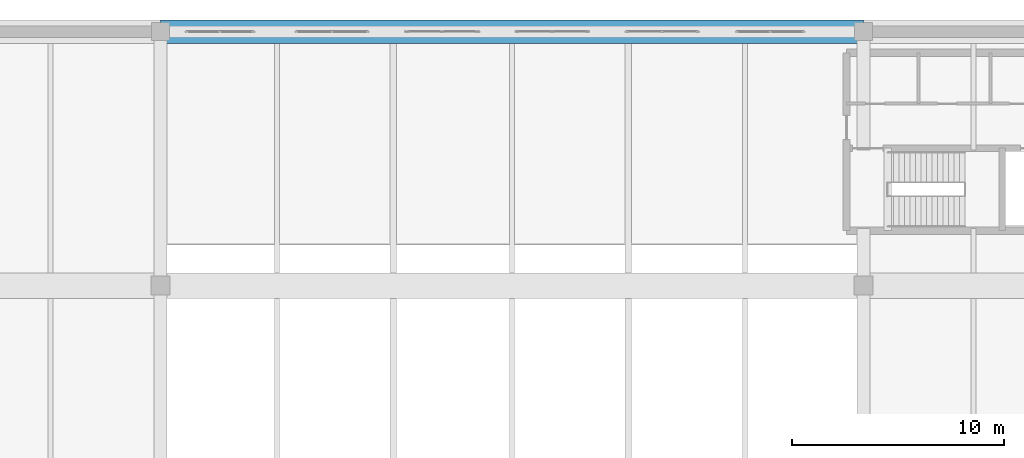
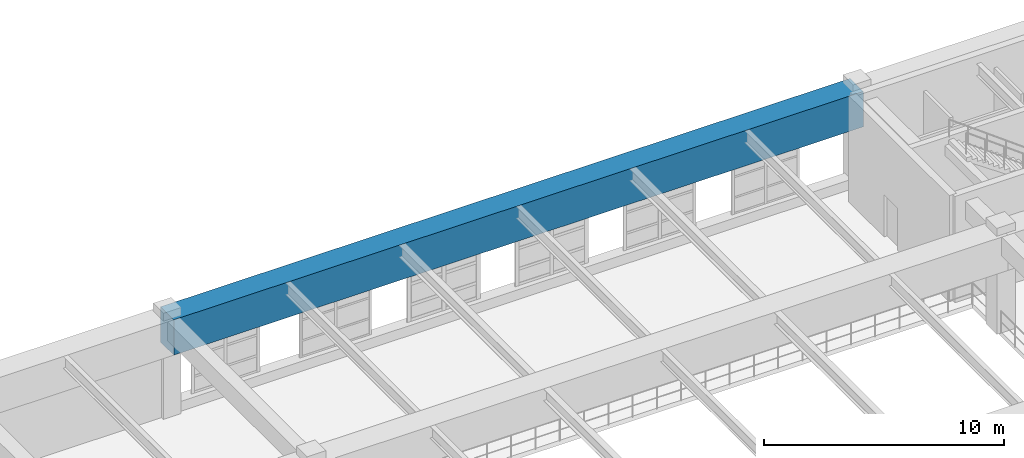
# One storey, part 143 of 197: 1 beam.
"""IFC4 building model written with IfcOpenShell, lengths in metres."""

from ifc_helpers import new_model, si_unit, derived_unit, direction, frame, origin, origin_2d, place, context, subcontext, project, spatial, rectangle, extrude, material, material_profile, profile_set, type_object, element, save


model = new_model("IFC4")

# Units and contexts
model_context = context("Model", 3, precision=1e-05, world=origin(), true_north=direction((0.0, 1.0)))
body_context = subcontext(model_context, "Body", "Model", "MODEL_VIEW")
ifc_project = project(units=[si_unit("LENGTHUNIT", "METRE"), si_unit("AREAUNIT", "SQUARE_METRE"), si_unit("VOLUMEUNIT", "CUBIC_METRE"), si_unit("PLANEANGLEUNIT", "RADIAN"), si_unit("MASSUNIT", "GRAM", prefix="KILO"), derived_unit("THERMALTRANSMITTANCEUNIT", [(si_unit("POWERUNIT", "WATT"), 1), (si_unit("LENGTHUNIT", "METRE"), -2), (si_unit("THERMODYNAMICTEMPERATUREUNIT", "KELVIN"), -1)])], contexts=[model_context])

# Site, building, storey
site_placement = place(None, origin())
site = spatial("IfcSite", under=ifc_project, at=site_placement, CompositionType="ELEMENT")
building_placement = place(site_placement, origin())
building = spatial("IfcBuilding", under=site, at=building_placement, Name="Almenara Railside Exhibition Hall", CompositionType="ELEMENT")
storey_placement = place(building_placement, frame((0.0, 0.0, 5.39990234375)))
storey = spatial("IfcBuildingStorey", under=building, at=storey_placement, Name="L01", CompositionType="ELEMENT", Elevation=5.39990234375)

# Beam
ifc_material = material(Name="Concrete C40/50", Category="concrete")
ifc_material_profile = material_profile(ifc_material, rectangle(XDim=1.10009765625, YDim=1.800048828125, at=origin_2d()), Name="RC 1100x1800")
ifc_profile_set = profile_set([ifc_material_profile], Name="Concrete C40/50")
beam_type = type_object("IfcBeamType", Name="RC End Transfer Girder 1100x1800 C40/50", PredefinedType="USERDEFINED", material=ifc_profile_set)
beam_placement = place(storey_placement, frame((22.39990234375, 132.0, 4.09619140625), z_axis=(1.0, 0.0, 0.0), x_axis=(0.0, 1.0, 0.0)))
element("IfcBeam", 1, at=beam_placement, inside=storey, type_object=beam_type, Name="Beam 0578", ObjectType="GIRDER", PredefinedType="USERDEFINED", context=body_context, shape_type="SweptSolid", body=[
    extrude(rectangle(XDim=1.10009765625, YDim=1.800048828125, at=origin_2d()), origin(), (0.0, 0.0, 1.0), 33.2001953125),
])

save(model, "model.ifc")
